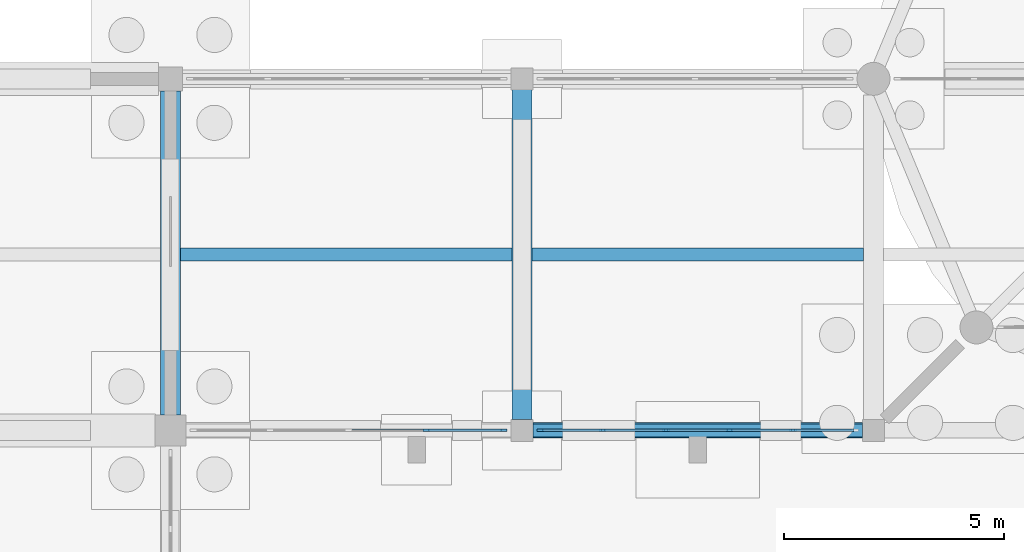
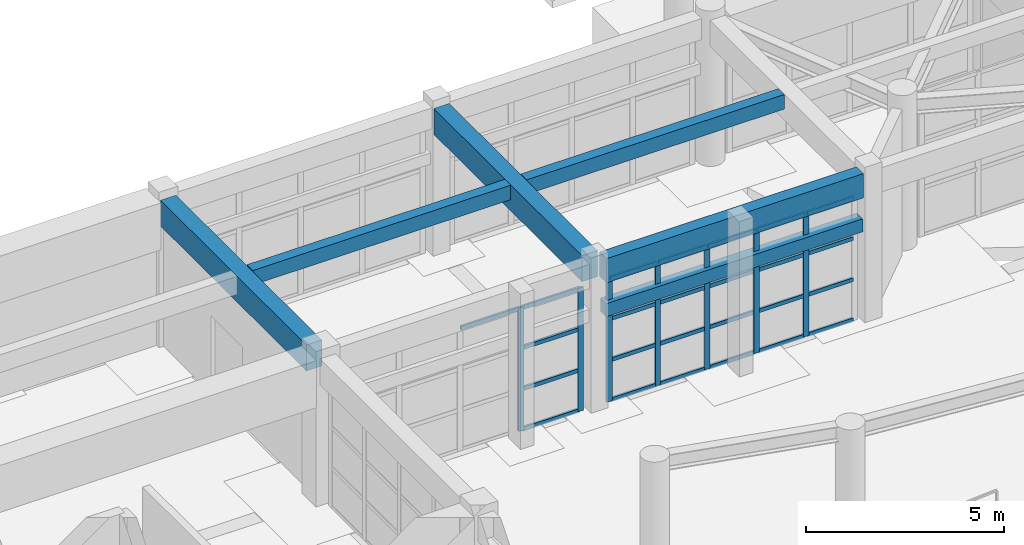
# One storey, part 15 of 68: 32 members, 6 beams, 2 elements without a shape of their own.
"""IFC4 building model written with IfcOpenShell, lengths in metres."""

from ifc_helpers import new_model, si_unit, direction, frame, origin, origin_2d, place, context, subcontext, project, spatial, rectangle, extrude, material, material_profile, profile_set, type_object, element, aggregate, save


model = new_model("IFC4")

# Units and contexts
model_context = context("Model", 3, precision=1e-05, world=origin(), true_north=direction((0.0, 1.0)))
body_context = subcontext(model_context, "Body", "Model", "MODEL_VIEW")
ifc_project = project(units=[si_unit("LENGTHUNIT", "METRE"), si_unit("AREAUNIT", "SQUARE_METRE"), si_unit("VOLUMEUNIT", "CUBIC_METRE"), si_unit("PLANEANGLEUNIT", "RADIAN"), si_unit("MASSUNIT", "GRAM", prefix="KILO")], contexts=[model_context])

# Site, building, storey
site_placement = place(None, origin())
site = spatial("IfcSite", under=ifc_project, at=site_placement, CompositionType="ELEMENT")
building_placement = place(site_placement, origin())
building = spatial("IfcBuilding", under=site, at=building_placement, Name="Serraluz Foothill Cableway Terminal", CompositionType="ELEMENT")
storey_placement = place(building_placement, origin())
storey = spatial("IfcBuildingStorey", under=building, at=storey_placement, Name="L00", CompositionType="ELEMENT", Elevation=0.0)

# Beams
ifc_material_1 = material(Name="Concrete C35/45 (f'c 35 MPa)", Category="concrete")
ifc_material_profile_1 = material_profile(ifc_material_1, rectangle(XDim=0.449951171875, YDim=0.800048828125, at=origin_2d()), Name="RC 450x800")
ifc_profile_set_1 = profile_set([ifc_material_profile_1], Name="Concrete C35/45 (f'c 35 MPa)")
beam_type_1 = type_object("IfcBeamType", Name="TYP-BM-RC450X800", PredefinedType="BEAM", material=ifc_profile_set_1)
beam_1_placement = place(storey_placement, frame((16.0, 56.345947265625, 4.139892578125), z_axis=(0.0, 1.0, 0.0), x_axis=(-1.0, 0.0, 0.0)))
element("IfcBeam", 1, at=beam_1_placement, inside=storey, type_object=beam_type_1, Name="Transverse Girder BM-Y-L00-0126", PredefinedType="BEAM", context=body_context, shape_type="SweptSolid", body=[
    extrude(rectangle(XDim=0.449951171875, YDim=0.800048828125, at=origin_2d()), origin(), (0.0, 0.0, 1.0), 7.383056640625),
])
beam_2_placement = place(storey_placement, frame((24.0, 56.24609375, 4.159912109375), z_axis=(0.0, 1.0, 0.0), x_axis=(-1.0, 0.0, 0.0)))
element("IfcBeam", 2, at=beam_2_placement, inside=storey, type_object=beam_type_1, Name="Transverse Girder BM-Y-L00-0127", PredefinedType="BEAM", context=body_context, shape_type="SweptSolid", body=[
    extrude(rectangle(XDim=0.449951171875, YDim=0.800048828125, at=origin_2d()), origin(), (0.0, 0.0, 1.0), 7.5078125),
])

# Curtain wall, members
ifc_material_2 = material(Name="Architectural bronze alloy C28000", Category="aluminium")
curtain_wall_type = type_object("IfcCurtainWallType", Name="TYP-CW-710X420", PredefinedType="NOTDEFINED", material=ifc_material_2)
curtain_wall_1_placement = place(storey_placement, origin())
curtain_wall_1 = element("IfcCurtainWall", 3, at=curtain_wall_1_placement, inside=storey, type_object=curtain_wall_type, Name="Ribbed Glazed Curtain Wall CW-WLS-L00-16", PredefinedType="NOTDEFINED")
ifc_material_profile_2 = material_profile(ifc_material_2, rectangle(XDim=0.06005859375, YDim=0.159912109375, at=origin_2d()), Name="ALU MULLION 60x160")
ifc_profile_set_2 = profile_set([ifc_material_profile_2], Name="Architectural bronze alloy C28000")
member_type_1 = type_object("IfcMemberType", Name="TYP-CW-MUL-60X160", PredefinedType="MULLION", material=ifc_profile_set_2)
member_1_placement = place(storey_placement, frame((23.580078125, 56.0, 0.0), z_axis=(0.0, 0.0, 1.0), x_axis=(0.0, -1.0, 0.0)))
member_1 = element("IfcMember", 4, at=member_1_placement, type_object=member_type_1, Name="CW-01 mullion 1", PredefinedType="MULLION", context=body_context, shape_type="SweptSolid", body=[
    extrude(rectangle(XDim=0.06005859375, YDim=0.159912109375, at=origin_2d()), origin(), (0.0, 0.0, 1.0), 3.81005859375),
])
member_2_placement = place(storey_placement, frame((21.830078125, 56.0, 0.0), z_axis=(0.0, 0.0, 1.0), x_axis=(0.0, -1.0, 0.0)))
member_2 = element("IfcMember", 5, at=member_2_placement, type_object=member_type_1, Name="CW-01 mullion 2", PredefinedType="MULLION", context=body_context, shape_type="SweptSolid", body=[
    extrude(rectangle(XDim=0.06005859375, YDim=0.159912109375, at=origin_2d()), origin(), (0.0, 0.0, 1.0), 3.81005859375),
])

curtain_wall_2_placement = place(storey_placement, origin())
curtain_wall_2 = element("IfcCurtainWall", 6, at=curtain_wall_2_placement, inside=storey, type_object=curtain_wall_type, Name="Ribbed Glazed Curtain Wall CW-WLS-L00-24", PredefinedType="NOTDEFINED")
member_3_placement = place(storey_placement, frame((30.166015625, 56.0, 0.0), z_axis=(0.0, 0.0, 1.0), x_axis=(0.0, -1.0, 0.0)))
member_3 = element("IfcMember", 7, at=member_3_placement, type_object=member_type_1, Name="CW-01 mullion 2", PredefinedType="MULLION", context=body_context, shape_type="SweptSolid", body=[
    extrude(rectangle(XDim=0.06005859375, YDim=0.159912109375, at=origin_2d()), origin(), (0.0, 0.0, 1.0), 3.81005859375),
])
member_4_placement = place(storey_placement, frame((28.721923828125, 56.0, 0.0), z_axis=(0.0, 0.0, 1.0), x_axis=(0.0, -1.0, 0.0)))
member_4 = element("IfcMember", 8, at=member_4_placement, type_object=member_type_1, Name="CW-01 mullion 3", PredefinedType="MULLION", context=body_context, shape_type="SweptSolid", body=[
    extrude(rectangle(XDim=0.06005859375, YDim=0.159912109375, at=origin_2d()), origin(), (0.0, 0.0, 1.0), 3.81005859375),
])
member_5_placement = place(storey_placement, frame((27.278076171875, 56.0, 0.0), z_axis=(0.0, 0.0, 1.0), x_axis=(0.0, -1.0, 0.0)))
member_5 = element("IfcMember", 9, at=member_5_placement, type_object=member_type_1, Name="CW-01 mullion 4", PredefinedType="MULLION", context=body_context, shape_type="SweptSolid", body=[
    extrude(rectangle(XDim=0.06005859375, YDim=0.159912109375, at=origin_2d()), origin(), (0.0, 0.0, 1.0), 3.81005859375),
])
member_6_placement = place(storey_placement, frame((25.833984375, 56.0, 0.0), z_axis=(0.0, 0.0, 1.0), x_axis=(0.0, -1.0, 0.0)))
member_6 = element("IfcMember", 10, at=member_6_placement, type_object=member_type_1, Name="CW-01 mullion 5", PredefinedType="MULLION", context=body_context, shape_type="SweptSolid", body=[
    extrude(rectangle(XDim=0.06005859375, YDim=0.159912109375, at=origin_2d()), origin(), (0.0, 0.0, 1.0), 3.81005859375),
])
member_7_placement = place(storey_placement, frame((24.419921875, 56.0, 0.0), z_axis=(0.0, 0.0, 1.0), x_axis=(0.0, -1.0, 0.0)))
member_7 = element("IfcMember", 11, at=member_7_placement, type_object=member_type_1, Name="CW-01 mullion 6", PredefinedType="MULLION", context=body_context, shape_type="SweptSolid", body=[
    extrude(rectangle(XDim=0.06005859375, YDim=0.159912109375, at=origin_2d()), origin(), (0.0, 0.0, 1.0), 3.81005859375),
])

# Member
ifc_material_profile_3 = material_profile(ifc_material_2, rectangle(XDim=0.06005859375, YDim=0.1201171875, at=origin_2d()), Name="ALU TRANSOM 60x120")
ifc_profile_set_3 = profile_set([ifc_material_profile_3], Name="Architectural bronze alloy C28000")
member_type_2 = type_object("IfcMemberType", Name="TYP-CW-TRN-60X120", PredefinedType="USERDEFINED", material=ifc_profile_set_3)
member_8_placement = place(storey_placement, frame((23.550048828125, 56.0, 0.030029296875), z_axis=(-1.0, 0.0, 0.0), x_axis=(0.0, -1.0, 0.0)))
member_8 = element("IfcMember", 12, at=member_8_placement, type_object=member_type_2, Name="CW-01 transom 1.1", ObjectType="TRANSOM", PredefinedType="USERDEFINED", context=body_context, shape_type="SweptSolid", body=[
    extrude(rectangle(XDim=0.06005859375, YDim=0.1201171875, at=origin_2d()), origin(), (0.0, 0.0, 1.0), 1.68994140625),
])

member_9_placement = place(storey_placement, frame((23.550048828125, 56.0, 1.27001953125), z_axis=(-1.0, 0.0, 0.0), x_axis=(0.0, -1.0, 0.0)))
member_9 = element("IfcMember", 13, at=member_9_placement, type_object=member_type_2, Name="CW-01 transom 1.2", ObjectType="TRANSOM", PredefinedType="USERDEFINED", context=body_context, shape_type="SweptSolid", body=[
    extrude(rectangle(XDim=0.06005859375, YDim=0.1201171875, at=origin_2d()), origin(), (0.0, 0.0, 1.0), 1.68994140625),
])

member_10_placement = place(storey_placement, frame((23.550048828125, 56.0, 2.5400390625), z_axis=(-1.0, 0.0, 0.0), x_axis=(0.0, -1.0, 0.0)))
member_10 = element("IfcMember", 14, at=member_10_placement, type_object=member_type_2, Name="CW-01 transom 1.3", ObjectType="TRANSOM", PredefinedType="USERDEFINED", context=body_context, shape_type="SweptSolid", body=[
    extrude(rectangle(XDim=0.06005859375, YDim=0.1201171875, at=origin_2d()), origin(), (0.0, 0.0, 1.0), 1.68994140625),
])

member_11_placement = place(storey_placement, frame((23.550048828125, 56.0, 3.780029296875), z_axis=(-1.0, 0.0, 0.0), x_axis=(0.0, -1.0, 0.0)))
member_11 = element("IfcMember", 15, at=member_11_placement, type_object=member_type_2, Name="CW-01 transom 1.4", ObjectType="TRANSOM", PredefinedType="USERDEFINED", context=body_context, shape_type="SweptSolid", body=[
    extrude(rectangle(XDim=0.06005859375, YDim=0.1201171875, at=origin_2d()), origin(), (0.0, 0.0, 1.0), 1.68994140625),
])

member_12_placement = place(storey_placement, frame((21.800048828125, 56.0, 3.780029296875), z_axis=(-1.0, 0.0, 0.0), x_axis=(0.0, -1.0, 0.0)))
member_12 = element("IfcMember", 16, at=member_12_placement, type_object=member_type_2, Name="CW-01 transom 2.4", ObjectType="TRANSOM", PredefinedType="USERDEFINED", context=body_context, shape_type="SweptSolid", body=[
    extrude(rectangle(XDim=0.06005859375, YDim=0.1201171875, at=origin_2d()), origin(), (0.0, 0.0, 1.0), 1.719970703125),
])

aggregate(curtain_wall_1, [member_1, member_2, member_8, member_9, member_10, member_11, member_12])

member_13_placement = place(storey_placement, frame((31.550048828125, 56.0, 0.030029296875), z_axis=(-1.0, 0.0, 0.0), x_axis=(0.0, -1.0, 0.0)))
member_13 = element("IfcMember", 17, at=member_13_placement, type_object=member_type_2, Name="CW-01 transom 1.1", ObjectType="TRANSOM", PredefinedType="USERDEFINED", context=body_context, shape_type="SweptSolid", body=[
    extrude(rectangle(XDim=0.06005859375, YDim=0.1201171875, at=origin_2d()), origin(), (0.0, 0.0, 1.0), 1.35400390625),
])

member_14_placement = place(storey_placement, frame((31.550048828125, 56.0, 1.27001953125), z_axis=(-1.0, 0.0, 0.0), x_axis=(0.0, -1.0, 0.0)))
member_14 = element("IfcMember", 18, at=member_14_placement, type_object=member_type_2, Name="CW-01 transom 1.2", ObjectType="TRANSOM", PredefinedType="USERDEFINED", context=body_context, shape_type="SweptSolid", body=[
    extrude(rectangle(XDim=0.06005859375, YDim=0.1201171875, at=origin_2d()), origin(), (0.0, 0.0, 1.0), 1.35400390625),
])

member_15_placement = place(storey_placement, frame((31.550048828125, 56.0, 2.5400390625), z_axis=(-1.0, 0.0, 0.0), x_axis=(0.0, -1.0, 0.0)))
member_15 = element("IfcMember", 19, at=member_15_placement, type_object=member_type_2, Name="CW-01 transom 1.3", ObjectType="TRANSOM", PredefinedType="USERDEFINED", context=body_context, shape_type="SweptSolid", body=[
    extrude(rectangle(XDim=0.06005859375, YDim=0.1201171875, at=origin_2d()), origin(), (0.0, 0.0, 1.0), 1.35400390625),
])

member_16_placement = place(storey_placement, frame((31.550048828125, 56.0, 3.780029296875), z_axis=(-1.0, 0.0, 0.0), x_axis=(0.0, -1.0, 0.0)))
member_16 = element("IfcMember", 20, at=member_16_placement, type_object=member_type_2, Name="CW-01 transom 1.4", ObjectType="TRANSOM", PredefinedType="USERDEFINED", context=body_context, shape_type="SweptSolid", body=[
    extrude(rectangle(XDim=0.06005859375, YDim=0.1201171875, at=origin_2d()), origin(), (0.0, 0.0, 1.0), 1.35400390625),
])

member_17_placement = place(storey_placement, frame((30.135986328125, 56.0, 0.030029296875), z_axis=(-1.0, 0.0, 0.0), x_axis=(0.0, -1.0, 0.0)))
member_17 = element("IfcMember", 21, at=member_17_placement, type_object=member_type_2, Name="CW-01 transom 2.1", ObjectType="TRANSOM", PredefinedType="USERDEFINED", context=body_context, shape_type="SweptSolid", body=[
    extrude(rectangle(XDim=0.06005859375, YDim=0.1201171875, at=origin_2d()), origin(), (0.0, 0.0, 1.0), 1.384033203125),
])

member_18_placement = place(storey_placement, frame((30.135986328125, 56.0, 1.27001953125), z_axis=(-1.0, 0.0, 0.0), x_axis=(0.0, -1.0, 0.0)))
member_18 = element("IfcMember", 22, at=member_18_placement, type_object=member_type_2, Name="CW-01 transom 2.2", ObjectType="TRANSOM", PredefinedType="USERDEFINED", context=body_context, shape_type="SweptSolid", body=[
    extrude(rectangle(XDim=0.06005859375, YDim=0.1201171875, at=origin_2d()), origin(), (0.0, 0.0, 1.0), 1.384033203125),
])

member_19_placement = place(storey_placement, frame((30.135986328125, 56.0, 2.5400390625), z_axis=(-1.0, 0.0, 0.0), x_axis=(0.0, -1.0, 0.0)))
member_19 = element("IfcMember", 23, at=member_19_placement, type_object=member_type_2, Name="CW-01 transom 2.3", ObjectType="TRANSOM", PredefinedType="USERDEFINED", context=body_context, shape_type="SweptSolid", body=[
    extrude(rectangle(XDim=0.06005859375, YDim=0.1201171875, at=origin_2d()), origin(), (0.0, 0.0, 1.0), 1.384033203125),
])

member_20_placement = place(storey_placement, frame((30.135986328125, 56.0, 3.780029296875), z_axis=(-1.0, 0.0, 0.0), x_axis=(0.0, -1.0, 0.0)))
member_20 = element("IfcMember", 24, at=member_20_placement, type_object=member_type_2, Name="CW-01 transom 2.4", ObjectType="TRANSOM", PredefinedType="USERDEFINED", context=body_context, shape_type="SweptSolid", body=[
    extrude(rectangle(XDim=0.06005859375, YDim=0.1201171875, at=origin_2d()), origin(), (0.0, 0.0, 1.0), 1.384033203125),
])

member_21_placement = place(storey_placement, frame((28.69189453125, 56.0, 0.030029296875), z_axis=(-1.0, 0.0, 0.0), x_axis=(0.0, -1.0, 0.0)))
member_21 = element("IfcMember", 25, at=member_21_placement, type_object=member_type_2, Name="CW-01 transom 3.1", ObjectType="TRANSOM", PredefinedType="USERDEFINED", context=body_context, shape_type="SweptSolid", body=[
    extrude(rectangle(XDim=0.06005859375, YDim=0.1201171875, at=origin_2d()), origin(), (0.0, 0.0, 1.0), 1.3837890625),
])

member_22_placement = place(storey_placement, frame((28.69189453125, 56.0, 1.27001953125), z_axis=(-1.0, 0.0, 0.0), x_axis=(0.0, -1.0, 0.0)))
member_22 = element("IfcMember", 26, at=member_22_placement, type_object=member_type_2, Name="CW-01 transom 3.2", ObjectType="TRANSOM", PredefinedType="USERDEFINED", context=body_context, shape_type="SweptSolid", body=[
    extrude(rectangle(XDim=0.06005859375, YDim=0.1201171875, at=origin_2d()), origin(), (0.0, 0.0, 1.0), 1.3837890625),
])

member_23_placement = place(storey_placement, frame((28.69189453125, 56.0, 2.5400390625), z_axis=(-1.0, 0.0, 0.0), x_axis=(0.0, -1.0, 0.0)))
member_23 = element("IfcMember", 27, at=member_23_placement, type_object=member_type_2, Name="CW-01 transom 3.3", ObjectType="TRANSOM", PredefinedType="USERDEFINED", context=body_context, shape_type="SweptSolid", body=[
    extrude(rectangle(XDim=0.06005859375, YDim=0.1201171875, at=origin_2d()), origin(), (0.0, 0.0, 1.0), 1.3837890625),
])

member_24_placement = place(storey_placement, frame((28.69189453125, 56.0, 3.780029296875), z_axis=(-1.0, 0.0, 0.0), x_axis=(0.0, -1.0, 0.0)))
member_24 = element("IfcMember", 28, at=member_24_placement, type_object=member_type_2, Name="CW-01 transom 3.4", ObjectType="TRANSOM", PredefinedType="USERDEFINED", context=body_context, shape_type="SweptSolid", body=[
    extrude(rectangle(XDim=0.06005859375, YDim=0.1201171875, at=origin_2d()), origin(), (0.0, 0.0, 1.0), 1.3837890625),
])

member_25_placement = place(storey_placement, frame((27.248046875, 56.0, 0.030029296875), z_axis=(-1.0, 0.0, 0.0), x_axis=(0.0, -1.0, 0.0)))
member_25 = element("IfcMember", 29, at=member_25_placement, type_object=member_type_2, Name="CW-01 transom 4.1", ObjectType="TRANSOM", PredefinedType="USERDEFINED", context=body_context, shape_type="SweptSolid", body=[
    extrude(rectangle(XDim=0.06005859375, YDim=0.1201171875, at=origin_2d()), origin(), (0.0, 0.0, 1.0), 1.384033203125),
])

member_26_placement = place(storey_placement, frame((27.248046875, 56.0, 1.27001953125), z_axis=(-1.0, 0.0, 0.0), x_axis=(0.0, -1.0, 0.0)))
member_26 = element("IfcMember", 30, at=member_26_placement, type_object=member_type_2, Name="CW-01 transom 4.2", ObjectType="TRANSOM", PredefinedType="USERDEFINED", context=body_context, shape_type="SweptSolid", body=[
    extrude(rectangle(XDim=0.06005859375, YDim=0.1201171875, at=origin_2d()), origin(), (0.0, 0.0, 1.0), 1.384033203125),
])

member_27_placement = place(storey_placement, frame((27.248046875, 56.0, 2.5400390625), z_axis=(-1.0, 0.0, 0.0), x_axis=(0.0, -1.0, 0.0)))
member_27 = element("IfcMember", 31, at=member_27_placement, type_object=member_type_2, Name="CW-01 transom 4.3", ObjectType="TRANSOM", PredefinedType="USERDEFINED", context=body_context, shape_type="SweptSolid", body=[
    extrude(rectangle(XDim=0.06005859375, YDim=0.1201171875, at=origin_2d()), origin(), (0.0, 0.0, 1.0), 1.384033203125),
])

member_28_placement = place(storey_placement, frame((27.248046875, 56.0, 3.780029296875), z_axis=(-1.0, 0.0, 0.0), x_axis=(0.0, -1.0, 0.0)))
member_28 = element("IfcMember", 32, at=member_28_placement, type_object=member_type_2, Name="CW-01 transom 4.4", ObjectType="TRANSOM", PredefinedType="USERDEFINED", context=body_context, shape_type="SweptSolid", body=[
    extrude(rectangle(XDim=0.06005859375, YDim=0.1201171875, at=origin_2d()), origin(), (0.0, 0.0, 1.0), 1.384033203125),
])

member_29_placement = place(storey_placement, frame((25.803955078125, 56.0, 0.030029296875), z_axis=(-1.0, 0.0, 0.0), x_axis=(0.0, -1.0, 0.0)))
member_29 = element("IfcMember", 33, at=member_29_placement, type_object=member_type_2, Name="CW-01 transom 5.1", ObjectType="TRANSOM", PredefinedType="USERDEFINED", context=body_context, shape_type="SweptSolid", body=[
    extrude(rectangle(XDim=0.06005859375, YDim=0.1201171875, at=origin_2d()), origin(), (0.0, 0.0, 1.0), 1.35400390625),
])

member_30_placement = place(storey_placement, frame((25.803955078125, 56.0, 1.27001953125), z_axis=(-1.0, 0.0, 0.0), x_axis=(0.0, -1.0, 0.0)))
member_30 = element("IfcMember", 34, at=member_30_placement, type_object=member_type_2, Name="CW-01 transom 5.2", ObjectType="TRANSOM", PredefinedType="USERDEFINED", context=body_context, shape_type="SweptSolid", body=[
    extrude(rectangle(XDim=0.06005859375, YDim=0.1201171875, at=origin_2d()), origin(), (0.0, 0.0, 1.0), 1.35400390625),
])

member_31_placement = place(storey_placement, frame((25.803955078125, 56.0, 2.5400390625), z_axis=(-1.0, 0.0, 0.0), x_axis=(0.0, -1.0, 0.0)))
member_31 = element("IfcMember", 35, at=member_31_placement, type_object=member_type_2, Name="CW-01 transom 5.3", ObjectType="TRANSOM", PredefinedType="USERDEFINED", context=body_context, shape_type="SweptSolid", body=[
    extrude(rectangle(XDim=0.06005859375, YDim=0.1201171875, at=origin_2d()), origin(), (0.0, 0.0, 1.0), 1.35400390625),
])

member_32_placement = place(storey_placement, frame((25.803955078125, 56.0, 3.780029296875), z_axis=(-1.0, 0.0, 0.0), x_axis=(0.0, -1.0, 0.0)))
member_32 = element("IfcMember", 36, at=member_32_placement, type_object=member_type_2, Name="CW-01 transom 5.4", ObjectType="TRANSOM", PredefinedType="USERDEFINED", context=body_context, shape_type="SweptSolid", body=[
    extrude(rectangle(XDim=0.06005859375, YDim=0.1201171875, at=origin_2d()), origin(), (0.0, 0.0, 1.0), 1.35400390625),
])

aggregate(curtain_wall_2, [member_3, member_4, member_5, member_6, member_7, member_13, member_14, member_15, member_16, member_17, member_18, member_19, member_20, member_21, member_22, member_23, member_24, member_25, member_26, member_27, member_28, member_29, member_30, member_31, member_32])

# Beams
ifc_material_3 = material(Name="Concrete C28/35 (f'c 28 MPa)", Category="concrete")
ifc_material_profile_4 = material_profile(ifc_material_3, rectangle(XDim=0.300048828125, YDim=0.449951171875, at=origin_2d()), Name="RC 300x450")
ifc_profile_set_4 = profile_set([ifc_material_profile_4], Name="Concrete C28/35 (f'c 28 MPa)")
beam_type_2 = type_object("IfcBeamType", Name="TYP-JS-RC300X450", PredefinedType="JOIST", material=ifc_profile_set_4)
for number, where, z_axis, x_axis, name in (
    (37, (16.22998046875, 60.0, 4.3349609375), (1.0, 0.0, 0.0), (0.0, 1.0, 0.0), "Secondary Floor Joist JS-L00-0015"),
    (38, (24.22998046875, 60.0, 4.3349609375), (1.0, 0.0, 0.0), (0.0, 1.0, 0.0), "Secondary Floor Joist JS-L00-0016"),
):
    element("IfcBeam", number, at=place(storey_placement, frame(where, z_axis=z_axis, x_axis=x_axis)), inside=storey, type_object=beam_type_2, Name=name, PredefinedType="JOIST", context=body_context, shape_type="SweptSolid", body=[
        extrude(rectangle(XDim=0.300048828125, YDim=0.449951171875, at=origin_2d()), origin(), (0.0, 0.0, 1.0), 7.5400390625),
    ])
ifc_material_4 = material(Name="Precast concrete C40/50", Category="concrete")
ifc_material_profile_5 = material_profile(ifc_material_4, rectangle(XDim=0.300048828125, YDim=0.39990234375, at=origin_2d()), Name="RC LN 300x400")
ifc_profile_set_5 = profile_set([ifc_material_profile_5], Name="Precast concrete C40/50")
beam_type_3 = type_object("IfcBeamType", Name="TYP-LN-300X400", PredefinedType="LINTEL", material=ifc_profile_set_5)
beam_3_placement = place(storey_placement, frame((24.25, 56.0, 2.949951171875), z_axis=(1.0, 0.0, 0.0), x_axis=(0.0, 1.0, 0.0)))
element("IfcBeam", 39, at=beam_3_placement, inside=storey, type_object=beam_type_3, Name="Arcade Portal Lintel LN-PORTAL-02", PredefinedType="LINTEL", context=body_context, shape_type="SweptSolid", body=[
    extrude(rectangle(XDim=0.300048828125, YDim=0.39990234375, at=origin_2d()), origin(), (0.0, 0.0, 1.0), 7.5),
])
ifc_material_profile_6 = material_profile(ifc_material_4, rectangle(XDim=0.35009765625, YDim=0.75, at=origin_2d()), Name="RC SP 350x750")
ifc_profile_set_6 = profile_set([ifc_material_profile_6], Name="Precast concrete C40/50")
beam_type_4 = type_object("IfcBeamType", Name="TYP-SP-RC350X750", PredefinedType="SPANDREL", material=ifc_profile_set_6)
beam_4_placement = place(storey_placement, frame((24.24609375, 56.0, 4.18505859375), z_axis=(1.0, 0.0, 0.0), x_axis=(0.0, 1.0, 0.0)))
element("IfcBeam", 40, at=beam_4_placement, inside=storey, type_object=beam_type_4, Name="Primary Girder BM-X-L00-0059", PredefinedType="SPANDREL", context=body_context, shape_type="SweptSolid", body=[
    extrude(rectangle(XDim=0.35009765625, YDim=0.75, at=origin_2d()), origin(), (0.0, 0.0, 1.0), 7.5078125),
])

save(model, "model.ifc")
